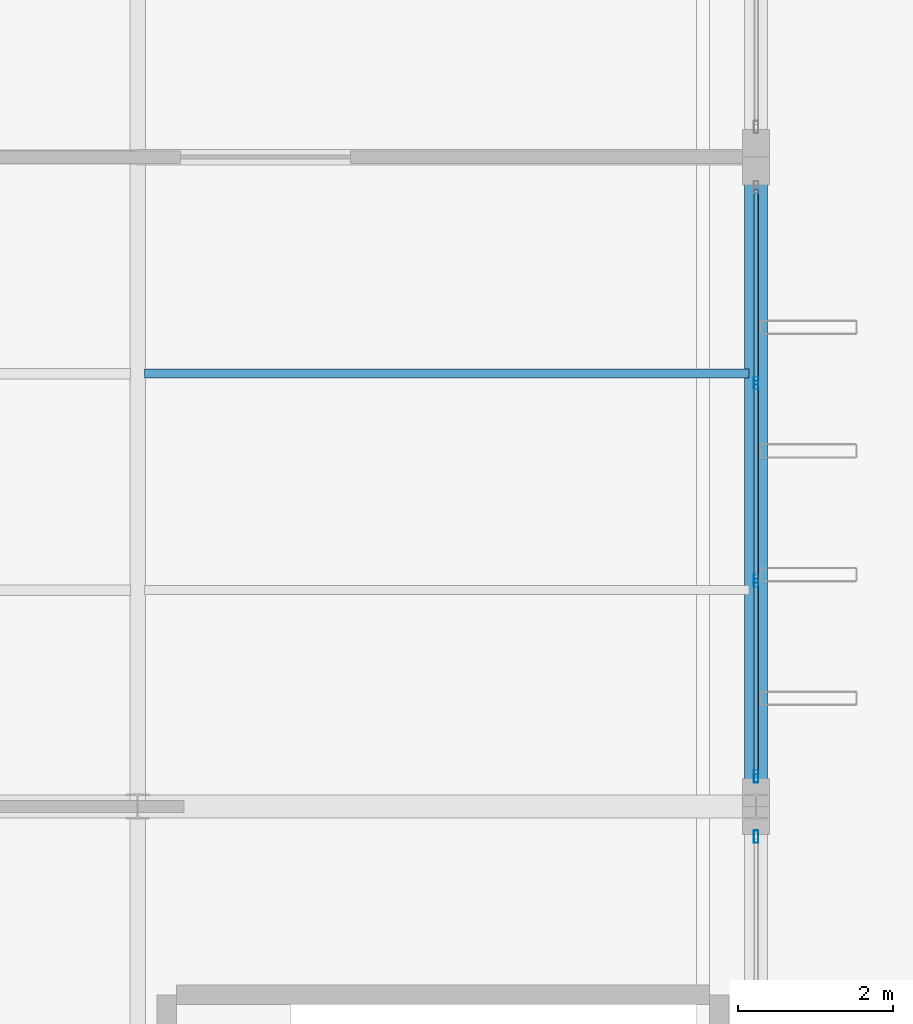
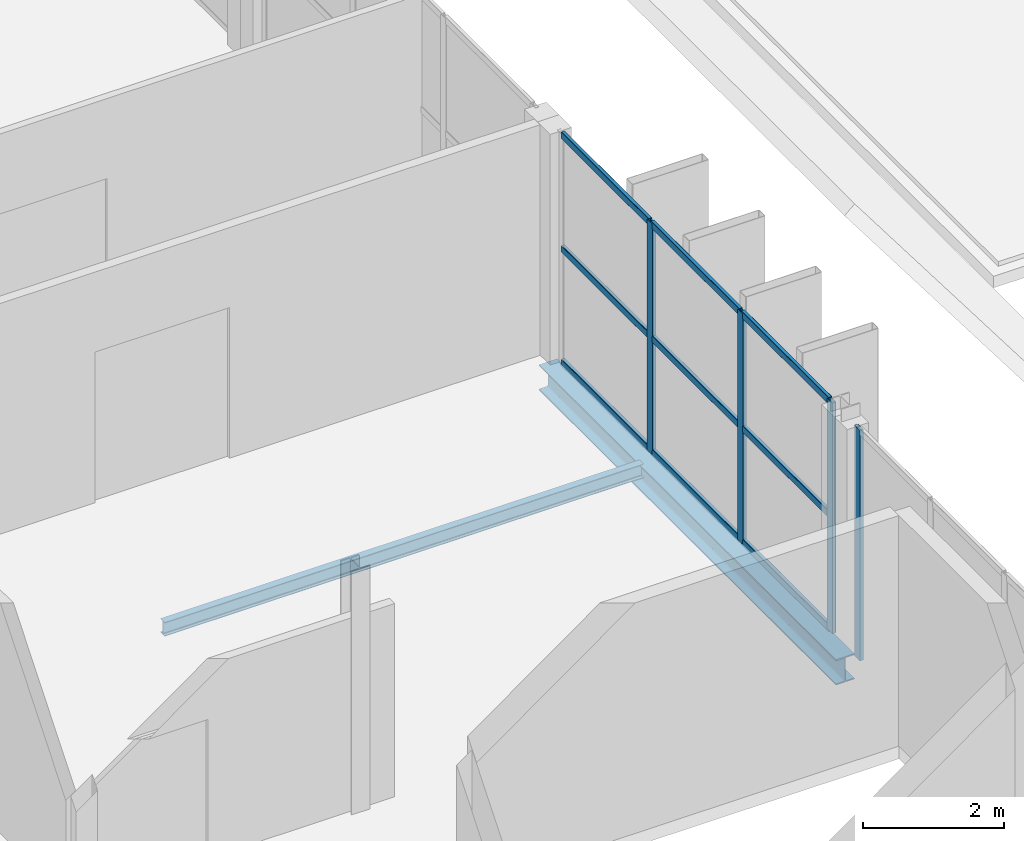
# One storey, part 42 of 93: 13 members, 2 beams, 2 elements without a shape of their own.
"""IFC4 building model written with IfcOpenShell, lengths in metres."""

from ifc_helpers import new_model, si_unit, direction, frame, origin, origin_2d, place, context, subcontext, project, spatial, hollow_rectangle, i_section, extrude, material, layer, layer_set, material_profile, profile_set, type_object, element, aggregate, save


model = new_model("IFC4")

# Units and contexts
model_context = context("Model", 3, precision=1e-05, world=origin(), true_north=direction((0.0, 1.0)))
body_context = subcontext(model_context, "Body", "Model", "MODEL_VIEW")
ifc_project = project(units=[si_unit("LENGTHUNIT", "METRE"), si_unit("AREAUNIT", "SQUARE_METRE"), si_unit("VOLUMEUNIT", "CUBIC_METRE"), si_unit("PLANEANGLEUNIT", "RADIAN"), si_unit("MASSUNIT", "GRAM", prefix="KILO")], contexts=[model_context])

# Site, building, storey
site_placement = place(None, origin())
site = spatial("IfcSite", under=ifc_project, at=site_placement, CompositionType="ELEMENT")
building_placement = place(site_placement, origin())
building = spatial("IfcBuilding", under=site, at=building_placement, Name="Vekula Escarpment Museum", CompositionType="ELEMENT")
storey_placement = place(building_placement, frame((0.0, 0.0, 22.199951171875)))
storey = spatial("IfcBuildingStorey", under=building, at=storey_placement, Name="L05", CompositionType="ELEMENT", Elevation=22.199951171875)

# Beams
ifc_material_1 = material(Name="Steel S355", Category="steel")
ifc_material_profile_1 = material_profile(ifc_material_1, i_section(OverallWidth=0.1201171875, OverallDepth=0.239990234375, WebThickness=0.006103515625, FlangeThickness=0.009765625, FilletRadius=0.014892578125, at=origin_2d()), Name="IPE 240")
ifc_profile_set_1 = profile_set([ifc_material_profile_1], Name="Steel S355")
beam_type_1 = type_object("IfcBeamType", Name="BM-JST-IPE240", PredefinedType="JOIST", material=ifc_profile_set_1)
beam_1_placement = place(storey_placement, frame((118.090087890625, 65.199951171875, -0.33984375), z_axis=(1.0, 0.0, 0.0), x_axis=(0.0, 1.0, 0.0)))
element("IfcBeam", 1, at=beam_1_placement, inside=storey, type_object=beam_type_1, Name="Secondary Joist L05 1376", PredefinedType="JOIST", context=body_context, shape_type="SweptSolid", body=[
    extrude(i_section(OverallWidth=0.1201171875, OverallDepth=0.239990234375, WebThickness=0.006103515625, FlangeThickness=0.009765625, FilletRadius=0.014892578125, at=origin_2d()), origin(), (0.0, 0.0, 1.0), 7.81982421875),
])
ifc_material_2 = material(Name="Steel S355", Category="steel")
ifc_material_profile_2 = material_profile(ifc_material_2, i_section(OverallWidth=0.300048828125, OverallDepth=0.43994140625, WebThickness=0.011474609375, FlangeThickness=0.02099609375, FilletRadius=0.027099609375, at=origin_2d()), Name="HEA 450")
ifc_profile_set_2 = profile_set([ifc_material_profile_2], Name="Steel S355")
beam_type_2 = type_object("IfcBeamType", Name="BM-SPAN-HEA450", PredefinedType="SPANDREL", material=ifc_profile_set_2)
beam_2_placement = place(storey_placement, frame((126.0, 59.60009765625, -0.43994140625), z_axis=(0.0, 1.0, 0.0), x_axis=(-1.0, 0.0, 0.0)))
element("IfcBeam", 2, at=beam_2_placement, inside=storey, type_object=beam_type_2, Name="Beam Y L05 2151", PredefinedType="SPANDREL", context=body_context, shape_type="SweptSolid", body=[
    extrude(i_section(OverallWidth=0.300048828125, OverallDepth=0.43994140625, WebThickness=0.011474609375, FlangeThickness=0.02099609375, FilletRadius=0.027099609375, at=origin_2d()), origin(), (0.0, 0.0, 1.0), 8.39990234375),
])

# Curtain wall, member
ifc_material_3 = material(Name="Aluminium thermally broken framing", Category="aluminium")
ifc_layer_1 = layer(ifc_material_3, 0.159912109375)
ifc_layer_set_1 = layer_set([ifc_layer_1], Name="Aluminium thermally broken framing")
curtain_wall_type_1 = type_object("IfcCurtainWallType", Name="CW-SYS-01", PredefinedType="NOTDEFINED", material=ifc_layer_set_1)
curtain_wall_1_placement = place(storey_placement, origin())
curtain_wall_1 = element("IfcCurtainWall", 3, at=curtain_wall_1_placement, inside=storey, type_object=curtain_wall_type_1, Name="Curtain Wall CW-L05-171", PredefinedType="NOTDEFINED")
ifc_material_4 = material(Name="Aluminium anodized mullion", Category="aluminium")
ifc_material_profile_3 = material_profile(ifc_material_4, hollow_rectangle(XDim=0.06005859375, YDim=0.159912109375, WallThickness=0.00390625, InnerFilletRadius=0.00390625, OuterFilletRadius=0.008056640625, at=origin_2d()), Name="ALU 160x60x4")
ifc_profile_set_3 = profile_set([ifc_material_profile_3], Name="Aluminium anodized mullion")
member_type_1 = type_object("IfcMemberType", Name="CW-MUL-160", PredefinedType="MULLION", material=ifc_profile_set_3)
member_1_placement = place(storey_placement, frame((126.0, 59.2099609375, 0.0), z_axis=(0.0, 0.0, 1.0), x_axis=(-1.0, 0.0, 0.0)))
member_1 = element("IfcMember", 4, at=member_1_placement, type_object=member_type_1, Name="CW-01 mullion 4", PredefinedType="MULLION", context=body_context, shape_type="SweptSolid", body=[
    extrude(hollow_rectangle(XDim=0.06005859375, YDim=0.159912109375, WallThickness=0.00390625, InnerFilletRadius=0.00390625, OuterFilletRadius=0.008056640625, at=origin_2d()), origin(), (0.0, 0.0, 1.0), 3.97998046875),
])
aggregate(curtain_wall_1, [member_1])

# Curtain wall, members
ifc_material_5 = material(Name="Aluminium thermally broken framing", Category="aluminium")
ifc_layer_2 = layer(ifc_material_5, 0.159912109375)
ifc_layer_set_2 = layer_set([ifc_layer_2], Name="Aluminium thermally broken framing")
curtain_wall_type_2 = type_object("IfcCurtainWallType", Name="CW-SYS-02", PredefinedType="NOTDEFINED", material=ifc_layer_set_2)
curtain_wall_2_placement = place(storey_placement, origin())
curtain_wall_2 = element("IfcCurtainWall", 5, at=curtain_wall_2_placement, inside=storey, type_object=curtain_wall_type_2, Name="Curtain Wall CW-L05-172", PredefinedType="NOTDEFINED")
member_2_placement = place(storey_placement, frame((126.0, 59.989990234375, 0.0), z_axis=(0.0, 0.0, 1.0), x_axis=(-1.0, 0.0, 0.0)))
member_2 = element("IfcMember", 6, at=member_2_placement, type_object=member_type_1, Name="CW-02 mullion 1", PredefinedType="MULLION", context=body_context, shape_type="SweptSolid", body=[
    extrude(hollow_rectangle(XDim=0.06005859375, YDim=0.159912109375, WallThickness=0.00390625, InnerFilletRadius=0.00390625, OuterFilletRadius=0.008056640625, at=origin_2d()), origin(), (0.0, 0.0, 1.0), 3.97998046875),
])
member_3_placement = place(storey_placement, frame((126.0, 62.52001953125, 0.0), z_axis=(0.0, 0.0, 1.0), x_axis=(-1.0, 0.0, 0.0)))
member_3 = element("IfcMember", 7, at=member_3_placement, type_object=member_type_1, Name="CW-02 mullion 2", PredefinedType="MULLION", context=body_context, shape_type="SweptSolid", body=[
    extrude(hollow_rectangle(XDim=0.06005859375, YDim=0.159912109375, WallThickness=0.00390625, InnerFilletRadius=0.00390625, OuterFilletRadius=0.008056640625, at=origin_2d()), origin(), (0.0, 0.0, 1.0), 3.97998046875),
])
member_4_placement = place(storey_placement, frame((126.0, 65.080078125, 0.0), z_axis=(0.0, 0.0, 1.0), x_axis=(-1.0, 0.0, 0.0)))
member_4 = element("IfcMember", 8, at=member_4_placement, type_object=member_type_1, Name="CW-02 mullion 3", PredefinedType="MULLION", context=body_context, shape_type="SweptSolid", body=[
    extrude(hollow_rectangle(XDim=0.06005859375, YDim=0.159912109375, WallThickness=0.00390625, InnerFilletRadius=0.00390625, OuterFilletRadius=0.008056640625, at=origin_2d()), origin(), (0.0, 0.0, 1.0), 3.97998046875),
])
ifc_material_6 = material(Name="Aluminium anodized transom", Category="aluminium")
ifc_material_profile_4 = material_profile(ifc_material_6, hollow_rectangle(XDim=0.06005859375, YDim=0.1201171875, WallThickness=0.00390625, InnerFilletRadius=0.00390625, OuterFilletRadius=0.008056640625, at=origin_2d()), Name="ALU 120x60x4")
ifc_profile_set_4 = profile_set([ifc_material_profile_4], Name="Aluminium anodized transom")
member_type_2 = type_object("IfcMemberType", Name="CW-TRN-120", PredefinedType="USERDEFINED", material=ifc_profile_set_4)
member_5_placement = place(storey_placement, frame((126.0, 60.02001953125, 0.030029296875), z_axis=(0.0, 1.0, 0.0), x_axis=(-1.0, 0.0, 0.0)))
member_5 = element("IfcMember", 9, at=member_5_placement, type_object=member_type_2, Name="CW-02 transom 1.1", ObjectType="TRANSOM", PredefinedType="USERDEFINED", context=body_context, shape_type="SweptSolid", body=[
    extrude(hollow_rectangle(XDim=0.06005859375, YDim=0.1201171875, WallThickness=0.00390625, InnerFilletRadius=0.00390625, OuterFilletRadius=0.008056640625, at=origin_2d()), origin(), (0.0, 0.0, 1.0), 2.469970703125),
])
member_6_placement = place(storey_placement, frame((126.0, 60.02001953125, 1.989990234375), z_axis=(0.0, 1.0, 0.0), x_axis=(-1.0, 0.0, 0.0)))
member_6 = element("IfcMember", 10, at=member_6_placement, type_object=member_type_2, Name="CW-02 transom 1.2", ObjectType="TRANSOM", PredefinedType="USERDEFINED", context=body_context, shape_type="SweptSolid", body=[
    extrude(hollow_rectangle(XDim=0.06005859375, YDim=0.1201171875, WallThickness=0.00390625, InnerFilletRadius=0.00390625, OuterFilletRadius=0.008056640625, at=origin_2d()), origin(), (0.0, 0.0, 1.0), 2.469970703125),
])
member_7_placement = place(storey_placement, frame((126.0, 60.02001953125, 3.949951171875), z_axis=(0.0, 1.0, 0.0), x_axis=(-1.0, 0.0, 0.0)))
member_7 = element("IfcMember", 11, at=member_7_placement, type_object=member_type_2, Name="CW-02 transom 1.3", ObjectType="TRANSOM", PredefinedType="USERDEFINED", context=body_context, shape_type="SweptSolid", body=[
    extrude(hollow_rectangle(XDim=0.06005859375, YDim=0.1201171875, WallThickness=0.00390625, InnerFilletRadius=0.00390625, OuterFilletRadius=0.008056640625, at=origin_2d()), origin(), (0.0, 0.0, 1.0), 2.469970703125),
])
member_8_placement = place(storey_placement, frame((126.0, 62.550048828125, 0.030029296875), z_axis=(0.0, 1.0, 0.0), x_axis=(-1.0, 0.0, 0.0)))
member_8 = element("IfcMember", 12, at=member_8_placement, type_object=member_type_2, Name="CW-02 transom 2.1", ObjectType="TRANSOM", PredefinedType="USERDEFINED", context=body_context, shape_type="SweptSolid", body=[
    extrude(hollow_rectangle(XDim=0.06005859375, YDim=0.1201171875, WallThickness=0.00390625, InnerFilletRadius=0.00390625, OuterFilletRadius=0.008056640625, at=origin_2d()), origin(), (0.0, 0.0, 1.0), 2.5),
])
member_9_placement = place(storey_placement, frame((126.0, 62.550048828125, 1.989990234375), z_axis=(0.0, 1.0, 0.0), x_axis=(-1.0, 0.0, 0.0)))
member_9 = element("IfcMember", 13, at=member_9_placement, type_object=member_type_2, Name="CW-02 transom 2.2", ObjectType="TRANSOM", PredefinedType="USERDEFINED", context=body_context, shape_type="SweptSolid", body=[
    extrude(hollow_rectangle(XDim=0.06005859375, YDim=0.1201171875, WallThickness=0.00390625, InnerFilletRadius=0.00390625, OuterFilletRadius=0.008056640625, at=origin_2d()), origin(), (0.0, 0.0, 1.0), 2.5),
])
member_10_placement = place(storey_placement, frame((126.0, 62.550048828125, 3.949951171875), z_axis=(0.0, 1.0, 0.0), x_axis=(-1.0, 0.0, 0.0)))
member_10 = element("IfcMember", 14, at=member_10_placement, type_object=member_type_2, Name="CW-02 transom 2.3", ObjectType="TRANSOM", PredefinedType="USERDEFINED", context=body_context, shape_type="SweptSolid", body=[
    extrude(hollow_rectangle(XDim=0.06005859375, YDim=0.1201171875, WallThickness=0.00390625, InnerFilletRadius=0.00390625, OuterFilletRadius=0.008056640625, at=origin_2d()), origin(), (0.0, 0.0, 1.0), 2.5),
])
member_11_placement = place(storey_placement, frame((126.0, 65.110107421875, 0.030029296875), z_axis=(0.0, 1.0, 0.0), x_axis=(-1.0, 0.0, 0.0)))
member_11 = element("IfcMember", 15, at=member_11_placement, type_object=member_type_2, Name="CW-02 transom 3.1", ObjectType="TRANSOM", PredefinedType="USERDEFINED", context=body_context, shape_type="SweptSolid", body=[
    extrude(hollow_rectangle(XDim=0.06005859375, YDim=0.1201171875, WallThickness=0.00390625, InnerFilletRadius=0.00390625, OuterFilletRadius=0.008056640625, at=origin_2d()), origin(), (0.0, 0.0, 1.0), 2.469970703125),
])
member_12_placement = place(storey_placement, frame((126.0, 65.110107421875, 1.989990234375), z_axis=(0.0, 1.0, 0.0), x_axis=(-1.0, 0.0, 0.0)))
member_12 = element("IfcMember", 16, at=member_12_placement, type_object=member_type_2, Name="CW-02 transom 3.2", ObjectType="TRANSOM", PredefinedType="USERDEFINED", context=body_context, shape_type="SweptSolid", body=[
    extrude(hollow_rectangle(XDim=0.06005859375, YDim=0.1201171875, WallThickness=0.00390625, InnerFilletRadius=0.00390625, OuterFilletRadius=0.008056640625, at=origin_2d()), origin(), (0.0, 0.0, 1.0), 2.469970703125),
])
member_13_placement = place(storey_placement, frame((126.0, 65.110107421875, 3.949951171875), z_axis=(0.0, 1.0, 0.0), x_axis=(-1.0, 0.0, 0.0)))
member_13 = element("IfcMember", 17, at=member_13_placement, type_object=member_type_2, Name="CW-02 transom 3.3", ObjectType="TRANSOM", PredefinedType="USERDEFINED", context=body_context, shape_type="SweptSolid", body=[
    extrude(hollow_rectangle(XDim=0.06005859375, YDim=0.1201171875, WallThickness=0.00390625, InnerFilletRadius=0.00390625, OuterFilletRadius=0.008056640625, at=origin_2d()), origin(), (0.0, 0.0, 1.0), 2.469970703125),
])
aggregate(curtain_wall_2, [member_2, member_3, member_4, member_5, member_6, member_7, member_8, member_9, member_10, member_11, member_12, member_13])

save(model, "model.ifc")
